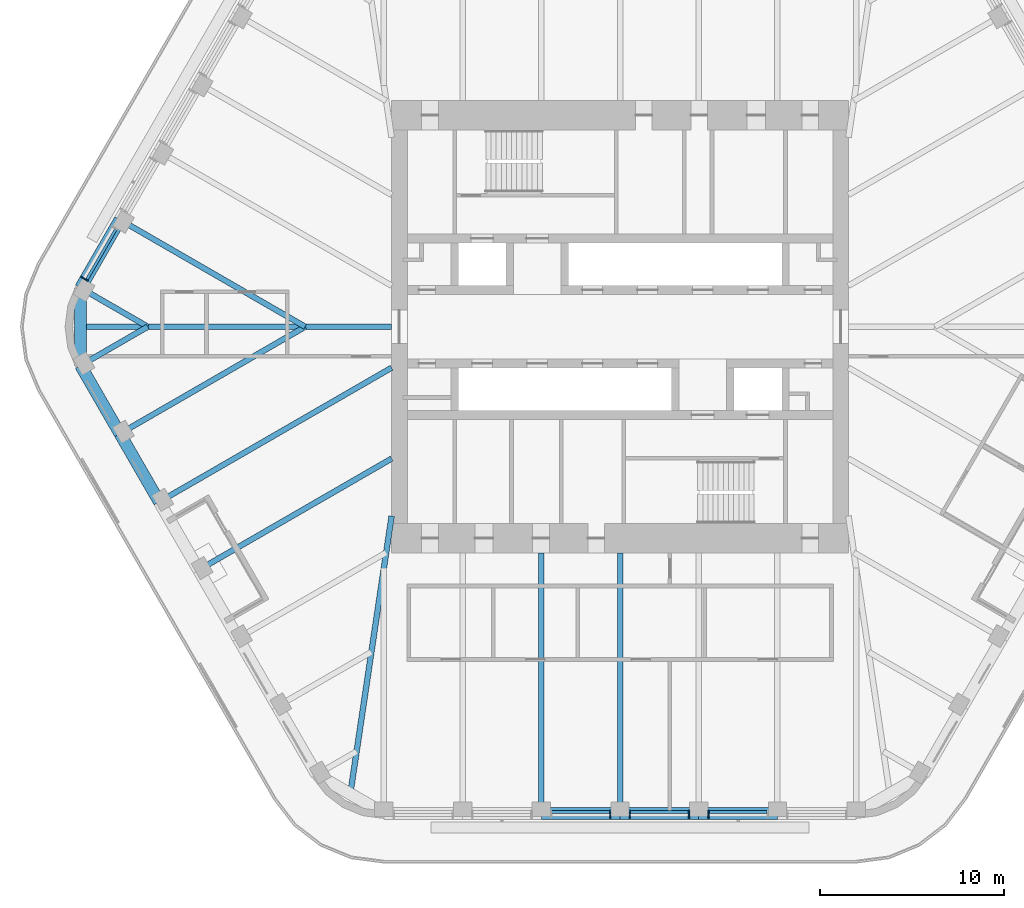
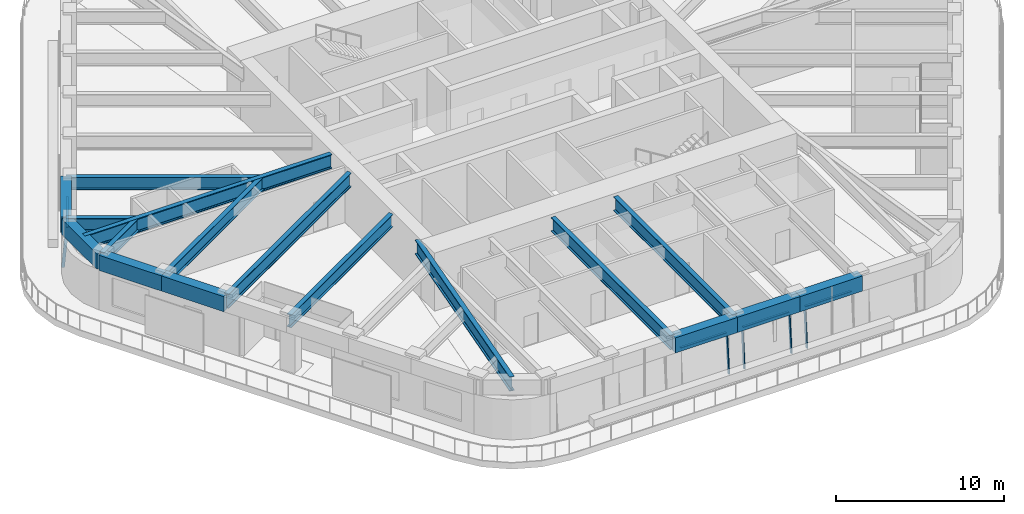
# One storey, part 3 of 19: 17 beams, 9 members, 4 elements without a shape of their own.
"""IFC4 building model written with IfcOpenShell, lengths in metres."""

from ifc_helpers import new_model, si_unit, direction, frame, origin, origin_2d, place, context, subcontext, project, spatial, rectangle, i_section, extrude, material, material_profile, profile_set, type_object, element, aggregate, save


model = new_model("IFC4")

# Units and contexts
model_context = context("Model", 3, precision=1e-05, world=origin(), true_north=direction((0.0, 1.0)))
body_context = subcontext(model_context, "Body", "Model", "MODEL_VIEW")
ifc_project = project(units=[si_unit("LENGTHUNIT", "METRE"), si_unit("AREAUNIT", "SQUARE_METRE"), si_unit("VOLUMEUNIT", "CUBIC_METRE"), si_unit("PLANEANGLEUNIT", "RADIAN"), si_unit("MASSUNIT", "GRAM", prefix="KILO")], contexts=[model_context])

# Site, building, storey
site_placement = place(None, origin())
site = spatial("IfcSite", under=ifc_project, at=site_placement, CompositionType="ELEMENT")
building_placement = place(site_placement, origin())
building = spatial("IfcBuilding", under=site, at=building_placement, Name="Tarfa Lantern Tower", CompositionType="ELEMENT")
storey_placement = place(building_placement, frame((0.0, 0.0, 336.699951171875)))
storey = spatial("IfcBuildingStorey", under=building, at=storey_placement, Name="L76", CompositionType="ELEMENT", Elevation=336.699951171875)

# Curtain wall, member
ifc_material_1 = material(Name="Aluminium framed curtain wall", Category="aluminium")
curtain_wall_type = type_object("IfcCurtainWallType", Name="CW4 CANTED GLAZING EXECUTIVE ZONE 2900", PredefinedType="USERDEFINED", material=ifc_material_1)
curtain_wall_1_placement = place(storey_placement, origin())
curtain_wall_1 = element("IfcCurtainWall", 1, at=curtain_wall_1_placement, inside=storey, type_object=curtain_wall_type, Name="CW4 NW L76", ObjectType="CURTAIN WALL", PredefinedType="USERDEFINED")
ifc_material_2 = material(Name="Aluminium mullion", Category="aluminium")
ifc_material_profile_1 = material_profile(ifc_material_2, rectangle(XDim=0.06494140625, YDim=0.199951171875, at=origin_2d()), Name="AL MULLION 65x200")
ifc_profile_set_1 = profile_set([ifc_material_profile_1], Name="Aluminium mullion")
member_type_1 = type_object("IfcMemberType", Name="CWM1 MULLION 65x200", PredefinedType="MULLION", material=ifc_profile_set_1)
member_1_placement = place(storey_placement, frame((-29.236328125, 2.6611328125, 0.0), z_axis=(0.074393603155, -0.042941967097, 0.996303959277), x_axis=(0.499919672301, 0.866071776036, 0.0)))
member_1 = element("IfcMember", 2, at=member_1_placement, type_object=member_type_1, Name="CW4 mullion 2", PredefinedType="MULLION", context=body_context, shape_type="SweptSolid", body=[
    extrude(rectangle(XDim=0.06494140625, YDim=0.199951171875, at=origin_2d()), origin(), (0.0, 0.0, 1.0), 2.910888671875),
])

curtain_wall_2_placement = place(storey_placement, origin())
curtain_wall_2 = element("IfcCurtainWall", 3, at=curtain_wall_2_placement, inside=storey, type_object=curtain_wall_type, Name="CW4 S L76", ObjectType="CURTAIN WALL", PredefinedType="USERDEFINED")
member_2_placement = place(storey_placement, frame((-0.532470703125, -26.64990234375, 0.0), z_axis=(0.0, 0.085884035992, 0.996305140186), x_axis=(-1.0, 0.0, 0.0)))
member_2 = element("IfcMember", 4, at=member_2_placement, type_object=member_type_1, Name="CW4 mullion 2", PredefinedType="MULLION", context=body_context, shape_type="SweptSolid", body=[
    extrude(rectangle(XDim=0.06494140625, YDim=0.199951171875, at=origin_2d()), origin(), (0.0, 0.0, 1.0), 2.910888671875),
])

# Curtain wall, members
curtain_wall_3_placement = place(storey_placement, origin())
curtain_wall_3 = element("IfcCurtainWall", 5, at=curtain_wall_3_placement, inside=storey, type_object=curtain_wall_type, Name="CW4 S L76", ObjectType="CURTAIN WALL", PredefinedType="USERDEFINED")
member_3_placement = place(storey_placement, frame((0.532470703125, -26.64990234375, 0.0), z_axis=(0.0, 0.085884035992, 0.996305140186), x_axis=(-1.0, 0.0, 0.0)))
member_3 = element("IfcMember", 6, at=member_3_placement, type_object=member_type_1, Name="CW4 mullion 1", PredefinedType="MULLION", context=body_context, shape_type="SweptSolid", body=[
    extrude(rectangle(XDim=0.06494140625, YDim=0.199951171875, at=origin_2d()), origin(), (0.0, 0.0, 1.0), 2.910888671875),
])
member_4_placement = place(storey_placement, frame((3.74951171875, -26.64990234375, 0.0), z_axis=(0.0, 0.085884035992, 0.996305140186), x_axis=(-1.0, 0.0, 0.0)))
member_4 = element("IfcMember", 7, at=member_4_placement, type_object=member_type_1, Name="CW4 mullion 2", PredefinedType="MULLION", context=body_context, shape_type="SweptSolid", body=[
    extrude(rectangle(XDim=0.06494140625, YDim=0.199951171875, at=origin_2d()), origin(), (0.0, 0.0, 1.0), 2.910888671875),
])

# Curtain wall, member
curtain_wall_4_placement = place(storey_placement, origin())
curtain_wall_4 = element("IfcCurtainWall", 8, at=curtain_wall_4_placement, inside=storey, type_object=curtain_wall_type, Name="CW4 S L76", ObjectType="CURTAIN WALL", PredefinedType="USERDEFINED")
member_5_placement = place(storey_placement, frame((4.814453125, -26.64990234375, 0.0), z_axis=(0.0, 0.085884035992, 0.996305140186), x_axis=(-1.0, 0.0, 0.0)))
member_5 = element("IfcMember", 9, at=member_5_placement, type_object=member_type_1, Name="CW4 mullion 1", PredefinedType="MULLION", context=body_context, shape_type="SweptSolid", body=[
    extrude(rectangle(XDim=0.06494140625, YDim=0.199951171875, at=origin_2d()), origin(), (0.0, 0.0, 1.0), 2.910888671875),
])

# Member
ifc_material_3 = material(Name="Aluminium transom", Category="aluminium")
ifc_material_profile_2 = material_profile(ifc_material_3, rectangle(XDim=0.14990234375, YDim=0.06494140625, at=origin_2d()), Name="AL TRANSOM 150x65")
ifc_profile_set_2 = profile_set([ifc_material_profile_2], Name="Aluminium transom")
member_type_2 = type_object("IfcMemberType", Name="CWT1 TRANSOM 150x65", PredefinedType="USERDEFINED", material=ifc_profile_set_2)
member_6_placement = place(storey_placement, frame((-27.429931640625, 5.29541015625, 2.867431640625), z_axis=(-0.500037562771, -0.866003715822, 0.0), x_axis=(0.866003715822, -0.500037562771, 0.0)))
member_6 = element("IfcMember", 10, at=member_6_placement, type_object=member_type_2, Name="CW4 transom 1.2", ObjectType="TRANSOM", PredefinedType="USERDEFINED", context=body_context, shape_type="SweptSolid", body=[
    extrude(rectangle(XDim=0.14990234375, YDim=0.06494140625, at=origin_2d()), origin(), (0.0, 0.0, 1.0), 3.152099609375),
])

aggregate(curtain_wall_1, [member_1, member_6])

member_7_placement = place(storey_placement, frame((-3.717041015625, -26.40283203125, 2.867431640625), z_axis=(1.0, 0.0, 0.0), x_axis=(0.0, 1.0, 0.0)))
member_7 = element("IfcMember", 11, at=member_7_placement, type_object=member_type_2, Name="CW4 transom 1.2", ObjectType="TRANSOM", PredefinedType="USERDEFINED", context=body_context, shape_type="SweptSolid", body=[
    extrude(rectangle(XDim=0.14990234375, YDim=0.06494140625, at=origin_2d()), origin(), (0.0, 0.0, 1.0), 3.152099609375),
])

aggregate(curtain_wall_2, [member_2, member_7])

member_8_placement = place(storey_placement, frame((0.56494140625, -26.40283203125, 2.867431640625), z_axis=(1.0, 0.0, 0.0), x_axis=(0.0, 1.0, 0.0)))
member_8 = element("IfcMember", 12, at=member_8_placement, type_object=member_type_2, Name="CW4 transom 1.2", ObjectType="TRANSOM", PredefinedType="USERDEFINED", context=body_context, shape_type="SweptSolid", body=[
    extrude(rectangle(XDim=0.14990234375, YDim=0.06494140625, at=origin_2d()), origin(), (0.0, 0.0, 1.0), 3.152099609375),
])

aggregate(curtain_wall_3, [member_3, member_4, member_8])

member_9_placement = place(storey_placement, frame((4.846923828125, -26.40283203125, 2.867431640625), z_axis=(1.0, 0.0, 0.0), x_axis=(0.0, 1.0, 0.0)))
member_9 = element("IfcMember", 13, at=member_9_placement, type_object=member_type_2, Name="CW4 transom 1.2", ObjectType="TRANSOM", PredefinedType="USERDEFINED", context=body_context, shape_type="SweptSolid", body=[
    extrude(rectangle(XDim=0.14990234375, YDim=0.06494140625, at=origin_2d()), origin(), (0.0, 0.0, 1.0), 3.152099609375),
])

aggregate(curtain_wall_4, [member_5, member_9])

# Beams
ifc_material_4 = material(Name="Concrete C80/95", Category="concrete")
ifc_material_profile_3 = material_profile(ifc_material_4, rectangle(XDim=0.64990234375, YDim=1.10009765625, at=origin_2d()), Name="RC 650x1100")
ifc_profile_set_3 = profile_set([ifc_material_profile_3], Name="Concrete C80/95")
beam_type_1 = type_object("IfcBeamType", Name="EB4 RC 650x1100", PredefinedType="SPANDREL", material=ifc_profile_set_3)
beam_1_placement = place(storey_placement, frame((-27.205810546875, 5.818359375, 3.449951171875), z_axis=(-0.499984039138, -0.866034618596, 0.0), x_axis=(0.866034618596, -0.499984039138, 0.0)))
element("IfcBeam", 14, at=beam_1_placement, inside=storey, type_object=beam_type_1, Name="Edge beam NW5", PredefinedType="SPANDREL", context=body_context, shape_type="SweptSolid", body=[
    extrude(rectangle(XDim=0.64990234375, YDim=1.10009765625, at=origin_2d()), origin(), (0.0, 0.0, 1.0), 4.281982421875),
])
beam_2_placement = place(storey_placement, frame((-29.3466796875, 2.110107421875, 3.449951171875), z_axis=(0.0, -1.0, 0.0), x_axis=(1.0, 0.0, 0.0)))
element("IfcBeam", 15, at=beam_2_placement, inside=storey, type_object=beam_type_1, Name="Edge beam NW6", PredefinedType="SPANDREL", context=body_context, shape_type="SweptSolid", body=[
    extrude(rectangle(XDim=0.64990234375, YDim=1.10009765625, at=origin_2d()), origin(), (0.0, 0.0, 1.0), 4.22021484375),
])
for number, where, z_axis, x_axis, name in (
    (16, (-29.3466796875, -2.110107421875, 3.449951171875), (0.499984039138, -0.866034618596, 0.0), (0.866034618596, 0.499984039138, 0.0), "Edge beam SW0"),
    (17, (-27.205810546875, -5.818359375, 3.449951171875), (0.500026801138, -0.866009929587, 0.0), (0.866009929587, 0.500026801138, 0.0), "Edge beam SW1"),
    (18, (-4.281982421875, -26.469970703125, 3.449951171875), (1.0, 0.0, 0.0), (0.0, 1.0, 0.0), "Edge beam S2"),
    (19, (0.0, -26.469970703125, 3.449951171875), (1.0, 0.0, 0.0), (0.0, 1.0, 0.0), "Edge beam S3"),
    (20, (4.281982421875, -26.469970703125, 3.449951171875), (1.0, 0.0, 0.0), (0.0, 1.0, 0.0), "Edge beam S4"),
):
    element("IfcBeam", number, at=place(storey_placement, frame(where, z_axis=z_axis, x_axis=x_axis)), inside=storey, type_object=beam_type_1, Name=name, PredefinedType="SPANDREL", context=body_context, shape_type="SweptSolid", body=[
        extrude(rectangle(XDim=0.64990234375, YDim=1.10009765625, at=origin_2d()), origin(), (0.0, 0.0, 1.0), 4.281982421875),
    ])
ifc_material_5 = material(Name="Steel S460M", Category="steel")
ifc_material_profile_4 = material_profile(ifc_material_5, i_section(OverallWidth=0.302001953125, OverallDepth=1.008056640625, WebThickness=0.02099609375, FlangeThickness=0.0400390625, FilletRadius=0.030029296875, at=origin_2d()), Name="UB1016x305x349")
ifc_profile_set_4 = profile_set([ifc_material_profile_4], Name="Steel S460M")
beam_type_2 = type_object("IfcBeamType", Name="UB1016x305x349", PredefinedType="BEAM", material=ifc_profile_set_4)
beam_3_placement = place(storey_placement, frame((-25.064697265625, -9.526611328125, 3.49609375), z_axis=(0.866029591389, 0.499992746786, 0.0), x_axis=(-0.499992746786, 0.866029591389, 0.0)))
element("IfcBeam", 21, at=beam_3_placement, inside=storey, type_object=beam_type_2, Name="Floor beam SW2", PredefinedType="BEAM", context=body_context, shape_type="SweptSolid", body=[
    extrude(i_section(OverallWidth=0.302001953125, OverallDepth=1.008056640625, WebThickness=0.02099609375, FlangeThickness=0.0400390625, FilletRadius=0.030029296875, at=origin_2d()), origin(), (0.0, 0.0, 1.0), 14.594970703125),
])
for number, where, z_axis, x_axis, name in (
    (22, (-4.281982421875, -26.469970703125, 3.49609375), (0.0, 1.0, 0.0), (-1.0, 0.0, 0.0), "Floor beam S2"),
    (23, (0.0, -26.469970703125, 3.49609375), (0.0, 1.0, 0.0), (-1.0, 0.0, 0.0), "Floor beam S3"),
):
    element("IfcBeam", number, at=place(storey_placement, frame(where, z_axis=z_axis, x_axis=x_axis)), inside=storey, type_object=beam_type_2, Name=name, PredefinedType="BEAM", context=body_context, shape_type="SweptSolid", body=[
        extrude(i_section(OverallWidth=0.302001953125, OverallDepth=1.008056640625, WebThickness=0.02099609375, FlangeThickness=0.0400390625, FilletRadius=0.030029296875, at=origin_2d()), origin(), (0.0, 0.0, 1.0), 14.169921875),
    ])
ifc_material_profile_5 = material_profile(ifc_material_5, i_section(OverallWidth=0.30859375, OverallDepth=1.036376953125, WebThickness=0.030029296875, FlangeThickness=0.05419921875, FilletRadius=0.030029296875, at=origin_2d()), Name="UB1016x305x487")
ifc_profile_set_5 = profile_set([ifc_material_profile_5], Name="Steel S460M")
beam_type_3 = type_object("IfcBeamType", Name="UB1016x305x487", PredefinedType="BEAM", material=ifc_profile_set_5)
beam_4_placement = place(storey_placement, frame((-12.425048828125, 0.0, 3.48193359375), z_axis=(-1.0, 0.0, 0.0), x_axis=(0.0, -1.0, 0.0)))
element("IfcBeam", 24, at=beam_4_placement, inside=storey, type_object=beam_type_3, Name="Hip girder W", PredefinedType="BEAM", context=body_context, shape_type="SweptSolid", body=[
    extrude(i_section(OverallWidth=0.30859375, OverallDepth=1.036376953125, WebThickness=0.030029296875, FlangeThickness=0.05419921875, FilletRadius=0.030029296875, at=origin_2d()), origin(), (0.0, 0.0, 1.0), 16.921630859375),
])
beam_5_placement = place(storey_placement, frame((-12.425048828125, -10.300048828125, 3.48193359375), z_axis=(-0.147127069073, -0.989117599452, 0.0), x_axis=(0.989117599452, -0.147127069073, 0.0)))
element("IfcBeam", 25, at=beam_5_placement, inside=storey, type_object=beam_type_3, Name="Hip girder SW", PredefinedType="BEAM", context=body_context, shape_type="SweptSolid", body=[
    extrude(i_section(OverallWidth=0.30859375, OverallDepth=1.036376953125, WebThickness=0.030029296875, FlangeThickness=0.05419921875, FilletRadius=0.030029296875, at=origin_2d()), origin(), (0.0, 0.0, 1.0), 15.28125),
])
ifc_material_profile_6 = material_profile(ifc_material_5, i_section(OverallWidth=0.305419921875, OverallDepth=0.91845703125, WebThickness=0.017333984375, FlangeThickness=0.02783203125, FilletRadius=0.01904296875, at=origin_2d()), Name="UB914x305x253")
ifc_profile_set_6 = profile_set([ifc_material_profile_6], Name="Steel S460M")
beam_type_4 = type_object("IfcBeamType", Name="UB914x305x253", PredefinedType="BEAM", material=ifc_profile_set_6)
beam_6_placement = place(storey_placement, frame((-27.205810546875, 5.818359375, 3.540771484375), z_axis=(0.866024171998, -0.500002133511, 0.0), x_axis=(0.500002133511, 0.866024171998, 0.0)))
element("IfcBeam", 26, at=beam_6_placement, inside=storey, type_object=beam_type_4, Name="Floor beam NW5", PredefinedType="BEAM", context=body_context, shape_type="SweptSolid", body=[
    extrude(i_section(OverallWidth=0.305419921875, OverallDepth=0.91845703125, WebThickness=0.017333984375, FlangeThickness=0.02783203125, FilletRadius=0.01904296875, at=origin_2d()), origin(), (0.0, 0.0, 1.0), 11.63671875),
])
for number, where, z_axis, x_axis, name in (
    (27, (-29.3466796875, 2.110107421875, 3.540771484375), (0.866009274789, -0.500027935199, 0.0), (0.500027935199, 0.866009274789, 0.0), "Floor beam NW6"),
    (28, (-29.3466796875, -2.110107421875, 3.540771484375), (0.866009274789, 0.500027935199, 0.0), (-0.500027935199, 0.866009274789, 0.0), "Floor beam SW0"),
):
    element("IfcBeam", number, at=place(storey_placement, frame(where, z_axis=z_axis, x_axis=x_axis)), inside=storey, type_object=beam_type_4, Name=name, PredefinedType="BEAM", context=body_context, shape_type="SweptSolid", body=[
        extrude(i_section(OverallWidth=0.305419921875, OverallDepth=0.91845703125, WebThickness=0.017333984375, FlangeThickness=0.02783203125, FilletRadius=0.01904296875, at=origin_2d()), origin(), (0.0, 0.0, 1.0), 4.219970703125),
    ])
beam_7_placement = place(storey_placement, frame((-27.205810546875, -5.818359375, 3.540771484375), z_axis=(0.866024171998, 0.500002133511, 0.0), x_axis=(-0.500002133511, 0.866024171998, 0.0)))
element("IfcBeam", 29, at=beam_7_placement, inside=storey, type_object=beam_type_4, Name="Floor beam SW1", PredefinedType="BEAM", context=body_context, shape_type="SweptSolid", body=[
    extrude(i_section(OverallWidth=0.305419921875, OverallDepth=0.91845703125, WebThickness=0.017333984375, FlangeThickness=0.02783203125, FilletRadius=0.01904296875, at=origin_2d()), origin(), (0.0, 0.0, 1.0), 11.63671875),
])
beam_8_placement = place(storey_placement, frame((-22.923583984375, -13.235107421875, 3.540771484375), z_axis=(0.86601856927, 0.500011837539, 0.0), x_axis=(-0.500011837539, 0.86601856927, 0.0)))
element("IfcBeam", 30, at=beam_8_placement, inside=storey, type_object=beam_type_4, Name="Floor beam SW3", PredefinedType="BEAM", context=body_context, shape_type="SweptSolid", body=[
    extrude(i_section(OverallWidth=0.305419921875, OverallDepth=0.91845703125, WebThickness=0.017333984375, FlangeThickness=0.02783203125, FilletRadius=0.01904296875, at=origin_2d()), origin(), (0.0, 0.0, 1.0), 12.122802734375),
])

save(model, "model.ifc")
